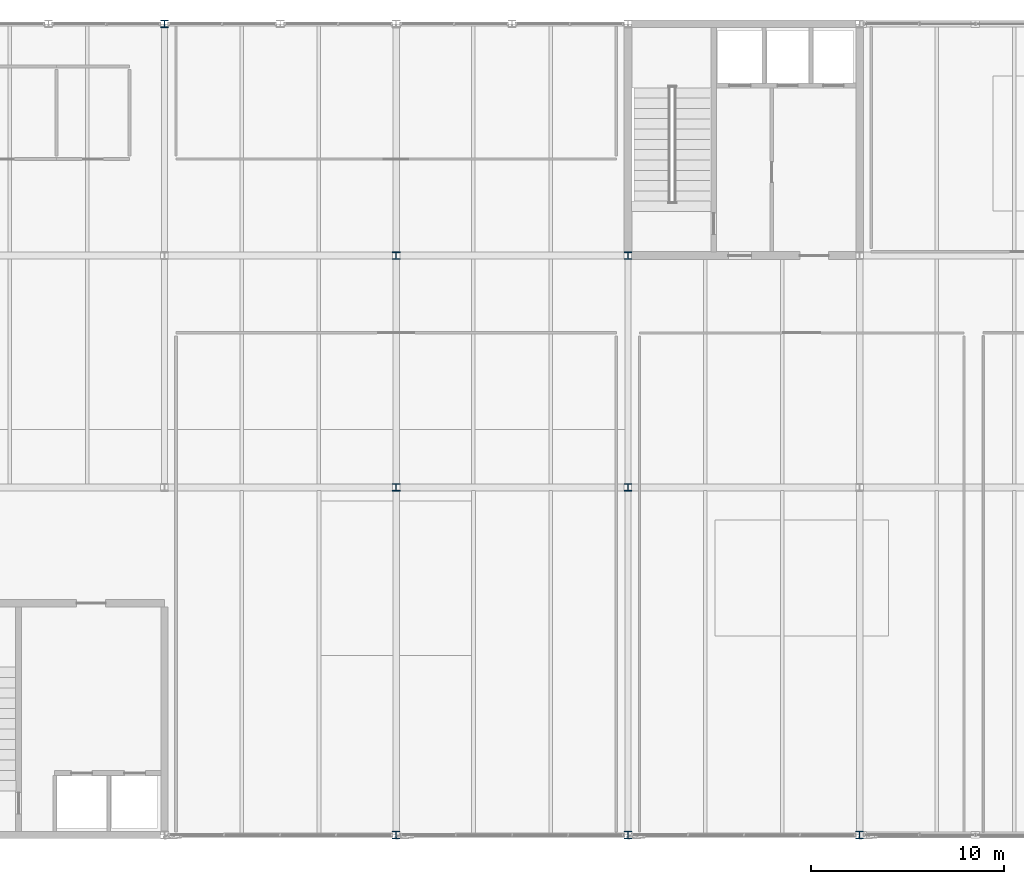
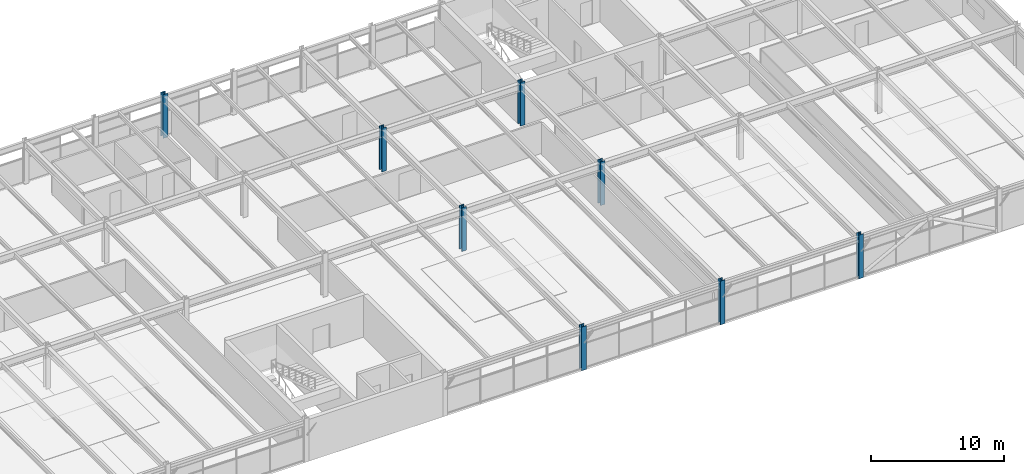
# One storey, part 4 of 51: 8 columns.
"""IFC4 building model written with IfcOpenShell, lengths in metres."""

from ifc_helpers import new_model, si_unit, direction, frame, origin, origin_2d, place, context, subcontext, project, spatial, i_section, extrude, material, material_profile, profile_set, type_object, element, save


model = new_model("IFC4")

# Units and contexts
model_context = context("Model", 3, precision=1e-05, world=origin(), true_north=direction((0.0, 1.0)))
body_context = subcontext(model_context, "Body", "Model", "MODEL_VIEW")
ifc_project = project(units=[si_unit("LENGTHUNIT", "METRE"), si_unit("AREAUNIT", "SQUARE_METRE"), si_unit("VOLUMEUNIT", "CUBIC_METRE"), si_unit("PLANEANGLEUNIT", "RADIAN"), si_unit("MASSUNIT", "GRAM", prefix="KILO")], contexts=[model_context])

# Site, building, storey
site_placement = place(None, origin())
site = spatial("IfcSite", under=ifc_project, at=site_placement, CompositionType="ELEMENT")
building_placement = place(site_placement, origin())
building = spatial("IfcBuilding", under=site, at=building_placement, Name="Girod Span Mobility Hub", CompositionType="ELEMENT")
storey_placement = place(building_placement, frame((0.0, 0.0, 41.60009765625)))
storey = spatial("IfcBuildingStorey", under=building, at=storey_placement, Name="L10", CompositionType="ELEMENT", Elevation=41.60009765625)

# Columns
ifc_material_1 = material(Name="Steel A992 Grade 50", Category="steel")
ifc_material_profile_1 = material_profile(ifc_material_1, i_section(OverallWidth=0.39404296875, OverallDepth=0.375, WebThickness=0.017333984375, FlangeThickness=0.027587890625, FilletRadius=0.01806640625, at=origin_2d()), Name="W14X145")
ifc_profile_set_1 = profile_set([ifc_material_profile_1], Name="Steel A992 Grade 50")
column_type_1 = type_object("IfcColumnType", Name="COL-STL-W14X145", PredefinedType="COLUMN", material=ifc_profile_set_1)
for number, where, z_axis, x_axis, name in (
    (1, (96.0, 27.0, 0.0), (0.0, 0.0, 1.0), (1.0, 0.0, 0.0), "Column 9C L10"),
    (2, (108.0, 27.0, 0.0), (0.0, 0.0, 1.0), (1.0, 0.0, 0.0), "Column 10C L10"),
    (3, (120.0, 27.0, 0.0), (0.0, 0.0, 1.0), (1.0, 0.0, 0.0), "Column 11C L10"),
):
    element("IfcColumn", number, at=place(storey_placement, frame(where, z_axis=z_axis, x_axis=x_axis)), inside=storey, type_object=column_type_1, Name=name, PredefinedType="COLUMN", context=body_context, shape_type="SweptSolid", body=[
        extrude(i_section(OverallWidth=0.39404296875, OverallDepth=0.375, WebThickness=0.017333984375, FlangeThickness=0.027587890625, FilletRadius=0.01806640625, at=origin_2d()), origin(), (0.0, 0.0, 1.0), 4.0),
    ])
ifc_material_2 = material(Name="Steel A992 Grade 50", Category="steel")
ifc_material_profile_2 = material_profile(ifc_material_2, i_section(OverallWidth=0.39892578125, OverallDepth=0.39306640625, WebThickness=0.022705078125, FlangeThickness=0.03662109375, FilletRadius=0.01806640625, at=origin_2d()), Name="W14X193")
ifc_profile_set_2 = profile_set([ifc_material_profile_2], Name="Steel A992 Grade 50")
column_type_2 = type_object("IfcColumnType", Name="COL-STL-W14X193", PredefinedType="COLUMN", material=ifc_profile_set_2)
for number, where, z_axis, x_axis, name in (
    (4, (84.0, 69.0, 0.0), (0.0, 0.0, 1.0), (1.0, 0.0, 0.0), "Column 8F L10"),
    (5, (96.0, 45.0, 0.0), (0.0, 0.0, 1.0), (1.0, 0.0, 0.0), "Column 9D L10"),
    (6, (96.0, 57.0, 0.0), (0.0, 0.0, 1.0), (1.0, 0.0, 0.0), "Column 9E L10"),
    (7, (108.0, 45.0, 0.0), (0.0, 0.0, 1.0), (1.0, 0.0, 0.0), "Column 10D L10"),
    (8, (108.0, 57.0, 0.0), (0.0, 0.0, 1.0), (1.0, 0.0, 0.0), "Column 10E L10"),
):
    element("IfcColumn", number, at=place(storey_placement, frame(where, z_axis=z_axis, x_axis=x_axis)), inside=storey, type_object=column_type_2, Name=name, PredefinedType="COLUMN", context=body_context, shape_type="SweptSolid", body=[
        extrude(i_section(OverallWidth=0.39892578125, OverallDepth=0.39306640625, WebThickness=0.022705078125, FlangeThickness=0.03662109375, FilletRadius=0.01806640625, at=origin_2d()), origin(), (0.0, 0.0, 1.0), 4.0),
    ])

save(model, "model.ifc")
